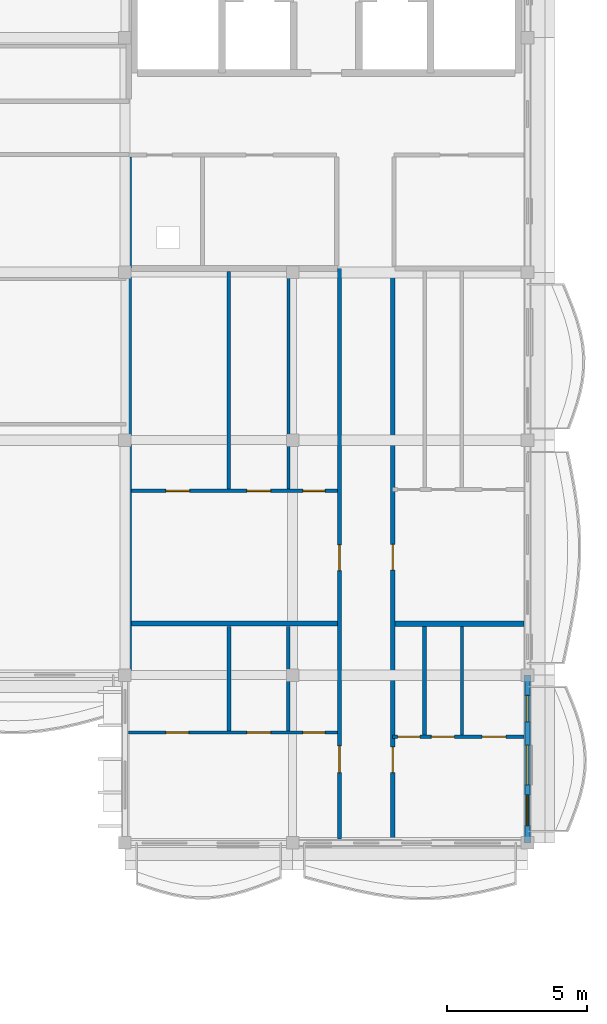
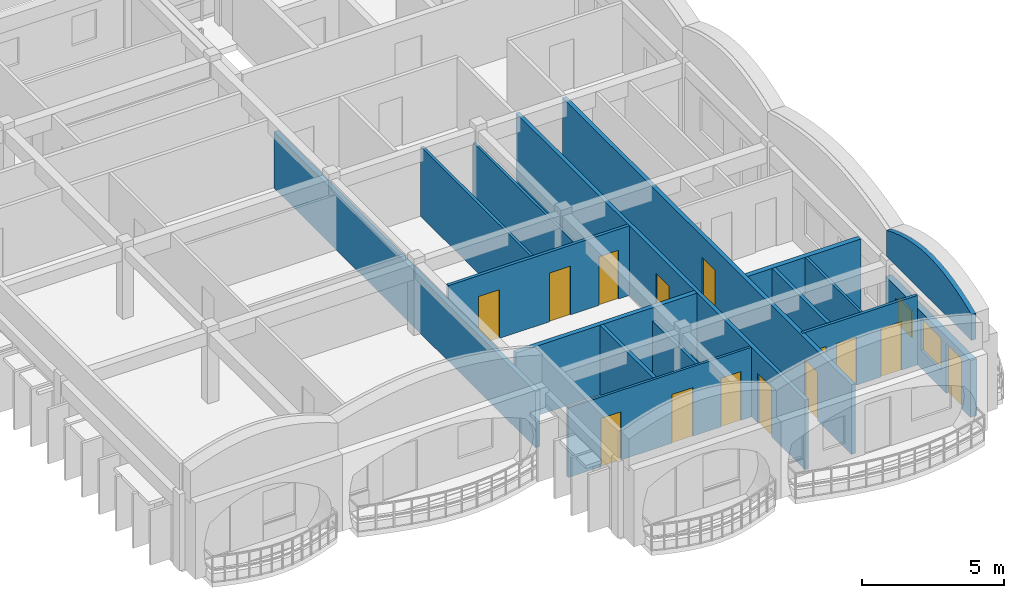
# One storey, part 27 of 59: 16 walls, 14 doors, 2 windows, 16 openings.
"""IFC4 building model written with IfcOpenShell, lengths in metres."""

from ifc_helpers import new_model, si_unit, direction, frame, frame_2d, origin, place, context, subcontext, project, spatial, polyline, rectangle, outline, extrude, material, layer, layer_set, type_object, element, fill, save


model = new_model("IFC4")

# Units and contexts
model_context = context("Model", 3, precision=1e-05, world=origin(), true_north=direction((0.0, 1.0)))
body_context = subcontext(model_context, "Body", "Model", "MODEL_VIEW")
ifc_project = project(units=[si_unit("LENGTHUNIT", "METRE"), si_unit("AREAUNIT", "SQUARE_METRE"), si_unit("VOLUMEUNIT", "CUBIC_METRE"), si_unit("PLANEANGLEUNIT", "RADIAN"), si_unit("MASSUNIT", "GRAM", prefix="KILO"), si_unit("THERMODYNAMICTEMPERATUREUNIT", "KELVIN")], contexts=[model_context])

# Site, building, storey
site_placement = place(None, origin())
site = spatial("IfcSite", under=ifc_project, at=site_placement, CompositionType="ELEMENT")
building_placement = place(site_placement, origin())
building = spatial("IfcBuilding", under=site, at=building_placement, Name="Thalorik Housing Commons", CompositionType="ELEMENT")
storey_placement = place(building_placement, frame((0.0, 0.0, 27.89990234375)))
storey = spatial("IfcBuildingStorey", under=building, at=storey_placement, Name="L08", CompositionType="ELEMENT", Elevation=27.89990234375)

# Wall, openings, doors
ifc_material_1 = material(Name="Masonry fire-rated corridor wall", Category="masonry")
ifc_layer_1 = layer(ifc_material_1, 0.14990234375, Name="Masonry fire-rated corridor wall", Category="masonry")
ifc_layer_set_1 = layer_set([ifc_layer_1], Name="Masonry fire-rated corridor wall")
wall_type_1 = type_object("IfcWallType", Name="ARC-WAL-CORR-150", PredefinedType="PARTITIONING", material=ifc_layer_set_1)
wall_1_placement = place(storey_placement, frame((160.080078125, 37.32958984375, 0.0), z_axis=(0.0, 0.0, 1.0), x_axis=(0.0, 1.0, 0.0)))
wall_1 = element("IfcWall", 1, at=wall_1_placement, inside=storey, type_object=wall_type_1, Name="L08 Block D E Corridor Wall 1", PredefinedType="PARTITIONING", context=body_context, shape_type="SweptSolid", body=[
    extrude(rectangle(XDim=20.410400390625, YDim=0.14990234375, at=frame_2d((10.205078125, 0.0))), origin(), (0.0, 0.0, 1.0), 3.0),
])
opening_1_placement = place(wall_1_placement, frame((2.3828125, 0.0, 0.0)))
opening_1 = element("IfcOpeningElement", 2, at=opening_1_placement, cuts=wall_1, Name="Opening ID-2160", PredefinedType="OPENING", context=body_context, shape_type="SweptSolid", body=[
    extrude(rectangle(XDim=0.9599609375, YDim=2.1201171875, at=frame_2d((0.47998046875, 1.06005859375))), frame((0.0, 0.0849609375, 0.0), z_axis=(0.0, -1.0, 0.0), x_axis=(1.0, 0.0, 0.0)), (0.0, 0.0, 1.0), 0.169921875),
])
opening_2_placement = place(wall_1_placement, frame((9.60546875, 0.0, 0.0)))
opening_2 = element("IfcOpeningElement", 3, at=opening_2_placement, cuts=wall_1, Name="Opening ID-2161", PredefinedType="OPENING", context=body_context, shape_type="SweptSolid", body=[
    extrude(rectangle(XDim=0.919921875, YDim=2.10009765625, at=frame_2d((0.4599609375, 1.050048828125))), frame((0.0, 0.0849609375, 0.0), z_axis=(0.0, -1.0, 0.0), x_axis=(1.0, 0.0, 0.0)), (0.0, 0.0, 1.0), 0.169921875),
])
ifc_material_2 = material(Name="Solid core hardwood timber", Category="wood")
door_type_1 = type_object("IfcDoorType", Name="ARC-DR-FD30-920", OperationType="NOTDEFINED", PredefinedType="DOOR", material=ifc_material_2)
door_1_placement = place(opening_2_placement, origin())
door_1 = element("IfcDoor", 4, at=door_1_placement, inside=storey, type_object=door_type_1, Name="L08 Flat DE-2A Entrance Door", OperationType="SINGLE_SWING_RIGHT", OverallHeight=2.10009765625, OverallWidth=0.919921875, PredefinedType="DOOR", context=body_context, shape_type="SweptSolid", body=[
    extrude(rectangle(XDim=0.919921875, YDim=2.10009765625, at=frame_2d((0.4599609375, 1.050048828125))), frame((0.0, 0.02490234375, 0.0), z_axis=(0.0, -1.0, 0.0), x_axis=(1.0, 0.0, 0.0)), (0.0, 0.0, 1.0), 0.050048828125),
])
fill(opening_2, door_1)
door_type_2 = type_object("IfcDoorType", Name="ARC-DR-FD30-960", OperationType="NOTDEFINED", PredefinedType="DOOR", material=ifc_material_2)
door_2_placement = place(opening_1_placement, origin())
door_2 = element("IfcDoor", 5, at=door_2_placement, inside=storey, type_object=door_type_2, Name="L08 Flat DE-1A Entrance Door", OperationType="SINGLE_SWING_LEFT", OverallHeight=2.1201171875, OverallWidth=0.9599609375, PredefinedType="DOOR", context=body_context, shape_type="SweptSolid", body=[
    extrude(rectangle(XDim=0.9599609375, YDim=2.1201171875, at=frame_2d((0.47998046875, 1.06005859375))), frame((0.0, 0.02490234375, 0.0), z_axis=(0.0, -1.0, 0.0), x_axis=(1.0, 0.0, 0.0)), (0.0, 0.0, 1.0), 0.050048828125),
])
fill(opening_1, door_2)

ifc_layer_2 = layer(ifc_material_1, 0.1650390625, Name="Masonry fire-rated corridor wall", Category="masonry")
ifc_layer_set_2 = layer_set([ifc_layer_2], Name="Masonry fire-rated corridor wall")
wall_type_2 = type_object("IfcWallType", Name="ARC-WAL-CORR-165", PredefinedType="PARTITIONING", material=ifc_layer_set_2)
wall_2_placement = place(storey_placement, frame((161.97998046875, 37.32958984375, 0.0), z_axis=(0.0, 0.0, 1.0), x_axis=(0.0, 1.0, 0.0)))
wall_2 = element("IfcWall", 6, at=wall_2_placement, inside=storey, type_object=wall_type_2, Name="L08 Block D E Corridor Wall 2", PredefinedType="PARTITIONING", context=body_context, shape_type="SweptSolid", body=[
    extrude(rectangle(XDim=20.410400390625, YDim=0.1650390625, at=frame_2d((10.205078125, 0.0))), origin(), (0.0, 0.0, 1.0), 3.0),
])
opening_3_placement = place(wall_2_placement, frame((2.3837890625, 0.0, 0.0)))
opening_3 = element("IfcOpeningElement", 7, at=opening_3_placement, cuts=wall_2, Name="Opening ID-2162", PredefinedType="OPENING", context=body_context, shape_type="SweptSolid", body=[
    extrude(rectangle(XDim=0.919921875, YDim=2.10009765625, at=frame_2d((0.4599609375, 1.050048828125))), frame((0.0, 0.092529296875, 0.0), z_axis=(0.0, -1.0, 0.0), x_axis=(1.0, 0.0, 0.0)), (0.0, 0.0, 1.0), 0.18505859375),
])
opening_4_placement = place(wall_2_placement, frame((9.62841796875, 0.0, 0.0)))
opening_4 = element("IfcOpeningElement", 8, at=opening_4_placement, cuts=wall_2, Name="Opening ID-2163", PredefinedType="OPENING", context=body_context, shape_type="SweptSolid", body=[
    extrude(rectangle(XDim=0.919921875, YDim=2.10009765625, at=frame_2d((0.4599609375, 1.050048828125))), frame((0.0, 0.092529296875, 0.0), z_axis=(0.0, -1.0, 0.0), x_axis=(1.0, 0.0, 0.0)), (0.0, 0.0, 1.0), 0.18505859375),
])
door_3_placement = place(opening_3_placement, origin())
door_3 = element("IfcDoor", 9, at=door_3_placement, inside=storey, type_object=door_type_1, Name="L08 Flat DE-1B Entrance Door", OperationType="SINGLE_SWING_LEFT", OverallHeight=2.10009765625, OverallWidth=0.919921875, PredefinedType="DOOR", context=body_context, shape_type="SweptSolid", body=[
    extrude(rectangle(XDim=0.919921875, YDim=2.10009765625, at=frame_2d((0.4599609375, 1.050048828125))), frame((0.0, 0.02490234375, 0.0), z_axis=(0.0, -1.0, 0.0), x_axis=(1.0, 0.0, 0.0)), (0.0, 0.0, 1.0), 0.050048828125),
])
fill(opening_3, door_3)
door_4_placement = place(opening_4_placement, origin())
door_4 = element("IfcDoor", 10, at=door_4_placement, inside=storey, type_object=door_type_1, Name="L08 Flat DE-2B Entrance Door", OperationType="SINGLE_SWING_RIGHT", OverallHeight=2.10009765625, OverallWidth=0.919921875, PredefinedType="DOOR", context=body_context, shape_type="SweptSolid", body=[
    extrude(rectangle(XDim=0.919921875, YDim=2.10009765625, at=frame_2d((0.4599609375, 1.050048828125))), frame((0.0, 0.02490234375, 0.0), z_axis=(0.0, -1.0, 0.0), x_axis=(1.0, 0.0, 0.0)), (0.0, 0.0, 1.0), 0.050048828125),
])
fill(opening_4, door_4)

# Wall, openings, door, windows
ifc_material_3 = material(Name="White precast concrete C40/50", Category="concrete")
ifc_layer_3 = layer(ifc_material_3, 0.2548828125, Name="White precast concrete C40/50", Category="concrete")
ifc_layer_set_3 = layer_set([ifc_layer_3], Name="White precast concrete C40/50")
wall_type_3 = type_object("IfcWallType", Name="ARC-WAL-EXT-255", PredefinedType="STANDARD", material=ifc_layer_set_3)
wall_3_placement = place(storey_placement, frame((166.800048828125, 37.199951171875, 0.0), z_axis=(0.0, 0.0, 1.0), x_axis=(0.0, 1.0, 0.0)))
wall_3 = element("IfcWall", 11, at=wall_3_placement, inside=storey, type_object=wall_type_3, Name="L08 Exterior Wall WAL-EXT-L08-D-1272", PredefinedType="STANDARD", context=body_context, shape_type="SweptSolid", body=[
    extrude(rectangle(XDim=6.0, YDim=0.2548828125, at=frame_2d((3.0, 0.0))), origin(), (0.0, 0.0, 1.0), 2.445068359375),
])
opening_5_placement = place(wall_3_placement, frame((0.6201171875, 0.0, 0.0)))
opening_5 = element("IfcOpeningElement", 12, at=opening_5_placement, cuts=wall_3, Name="Opening ED-0434", PredefinedType="OPENING", context=body_context, shape_type="SweptSolid", body=[
    extrude(rectangle(XDim=1.10009765625, YDim=2.14990234375, at=frame_2d((0.550048828125, 1.074951171875))), frame((0.0, 0.137451171875, 0.0), z_axis=(0.0, -1.0, 0.0), x_axis=(1.0, 0.0, 0.0)), (0.0, 0.0, 1.0), 0.27490234375),
])
opening_6_placement = place(wall_3_placement, frame((2.072265625, 0.0, 0.780029296875)))
opening_6 = element("IfcOpeningElement", 13, at=opening_6_placement, cuts=wall_3, Name="Opening W-50", PredefinedType="OPENING", context=body_context, shape_type="SweptSolid", body=[
    extrude(rectangle(XDim=1.419921875, YDim=1.3798828125, at=frame_2d((0.7099609375, 0.68994140625))), frame((0.0, 0.137451171875, 0.0), z_axis=(0.0, -1.0, 0.0), x_axis=(1.0, 0.0, 0.0)), (0.0, 0.0, 1.0), 0.27490234375),
])
opening_7_placement = place(wall_3_placement, frame((4.3271484375, 0.0, 0.780029296875)))
opening_7 = element("IfcOpeningElement", 14, at=opening_7_placement, cuts=wall_3, Name="Opening W-43", PredefinedType="OPENING", context=body_context, shape_type="SweptSolid", body=[
    extrude(rectangle(XDim=0.949951171875, YDim=1.14990234375, at=frame_2d((0.47509765625, 0.574951171875))), frame((0.0, 0.137451171875, 0.0), z_axis=(0.0, -1.0, 0.0), x_axis=(1.0, 0.0, 0.0)), (0.0, 0.0, 1.0), 0.27490234375),
])
ifc_material_4 = material(Name="Anodised aluminium and laminated safety glass", Category="aluminium")
door_type_3 = type_object("IfcDoorType", Name="ARC-DR-BAL-1100", OperationType="NOTDEFINED", PredefinedType="DOOR", material=ifc_material_4)
door_5_placement = place(opening_5_placement, frame((1.10009765625, 0.0, 0.0), z_axis=(0.0, 0.0, 1.0), x_axis=(-1.0, 0.0, 0.0)))
door_5 = element("IfcDoor", 15, at=door_5_placement, inside=storey, type_object=door_type_3, Name="L08 Block D Balcony Glazed Door", OperationType="SINGLE_SWING_LEFT", OverallHeight=2.14990234375, OverallWidth=1.10009765625, PredefinedType="DOOR", context=body_context, shape_type="SweptSolid", body=[
    extrude(rectangle(XDim=1.10009765625, YDim=2.14990234375, at=frame_2d((0.550048828125, 1.074951171875))), frame((0.0, 0.02490234375, 0.0), z_axis=(0.0, -1.0, 0.0), x_axis=(1.0, 0.0, 0.0)), (0.0, 0.0, 1.0), 0.050048828125),
])
fill(opening_5, door_5)
ifc_material_5 = material(Name="Anodised aluminium and solar-control low-E glass", Category="aluminium")
window_type_1 = type_object("IfcWindowType", Name="ARC-WIN-43", PartitioningType="SINGLE_PANEL", PredefinedType="WINDOW", material=ifc_material_5)
window_1_placement = place(opening_7_placement, origin())
window_1 = element("IfcWindow", 16, at=window_1_placement, inside=storey, type_object=window_type_1, Name="L08 Facade Window 2319", OverallHeight=1.14990234375, OverallWidth=0.949951171875, PartitioningType="SINGLE_PANEL", PredefinedType="WINDOW", context=body_context, shape_type="SweptSolid", body=[
    extrude(rectangle(XDim=0.949951171875, YDim=1.14990234375, at=frame_2d((0.47509765625, 0.574951171875))), frame((0.0, 0.030029296875, 0.0), z_axis=(0.0, -1.0, 0.0), x_axis=(1.0, 0.0, 0.0)), (0.0, 0.0, 1.0), 0.06005859375),
])
fill(opening_7, window_1)
window_type_2 = type_object("IfcWindowType", Name="ARC-WIN-50", PartitioningType="SINGLE_PANEL", PredefinedType="WINDOW", material=ifc_material_5)
window_2_placement = place(opening_6_placement, origin())
window_2 = element("IfcWindow", 17, at=window_2_placement, inside=storey, type_object=window_type_2, Name="L08 Facade Window 2318", OverallHeight=1.3798828125, OverallWidth=1.419921875, PartitioningType="SINGLE_PANEL", PredefinedType="WINDOW", context=body_context, shape_type="SweptSolid", body=[
    extrude(rectangle(XDim=1.419921875, YDim=1.3798828125, at=frame_2d((0.7099609375, 0.68994140625))), frame((0.0, 0.030029296875, 0.0), z_axis=(0.0, -1.0, 0.0), x_axis=(1.0, 0.0, 0.0)), (0.0, 0.0, 1.0), 0.06005859375),
])
fill(opening_6, window_2)

# Wall
ifc_layer_4 = layer(ifc_material_3, 0.179931640625, Name="White precast concrete C40/50", Category="concrete")
ifc_layer_set_4 = layer_set([ifc_layer_4], Name="White precast concrete C40/50")
wall_type_4 = type_object("IfcWallType", Name="ARC-WAL-PAR-180", PredefinedType="PARAPET", material=ifc_layer_set_4)
wall_4_placement = place(storey_placement, frame((166.800048828125, 37.199951171875, 3.300048828125), z_axis=(0.0, 0.0, 1.0), x_axis=(0.0, 1.0, 0.0)))
element("IfcWall", 18, at=wall_4_placement, inside=storey, type_object=wall_type_4, Name="L08 Block D Scalloped Arched Roof Parapet 52", PredefinedType="PARAPET", context=body_context, shape_type="SweptSolid", body=[
    extrude(outline(polyline([(0.0, 0.0), (6.0, 0.0), (6.0, 1.1201171875), (5.5, 1.321533203125), (5.0, 1.484375), (4.5, 1.617919921875), (4.0, 1.717529296875), (3.5, 1.779052734375), (3.0, 1.800048828125), (2.5, 1.779052734375), (2.0, 1.717529296875), (1.5, 1.617919921875), (1.0, 1.484375), (0.5, 1.321533203125), (0.0, 1.1201171875), (0.0, 0.0)])), frame((0.0, 0.08984375, 0.0), z_axis=(0.0, -1.0, 0.0), x_axis=(1.0, 0.0, 0.0)), (0.0, 0.0, 1.0), 0.179931640625),
])

# Wall, openings, doors
ifc_material_6 = material(Name="Gypsum light stud partition", Category="masonry")
ifc_layer_5 = layer(ifc_material_6, 0.10009765625, Name="Gypsum light stud partition", Category="masonry")
ifc_layer_set_5 = layer_set([ifc_layer_5], Name="Gypsum light stud partition")
wall_type_5 = type_object("IfcWallType", Name="ARC-WAL-PART-100", PredefinedType="PARTITIONING", material=ifc_layer_set_5)
wall_5_placement = place(storey_placement, frame((152.529541015625, 41.14990234375, 0.0), z_axis=(0.0, 0.0, 1.0), x_axis=(1.0, 0.0, 0.0)))
wall_5 = element("IfcWall", 19, at=wall_5_placement, inside=storey, type_object=wall_type_5, Name="L08 Unit 1 Spine Partition", PredefinedType="PARTITIONING", context=body_context, shape_type="SweptSolid", body=[
    extrude(rectangle(XDim=7.473388671875, YDim=0.10009765625, at=frame_2d((3.73681640625, 0.0))), origin(), (0.0, 0.0, 1.0), 3.0),
])
opening_8_placement = place(wall_5_placement, frame((1.334228515625, 0.0, 0.0)))
opening_8 = element("IfcOpeningElement", 20, at=opening_8_placement, cuts=wall_5, Name="Opening ID-2148", PredefinedType="OPENING", context=body_context, shape_type="SweptSolid", body=[
    extrude(rectangle(XDim=0.820068359375, YDim=2.080078125, at=frame_2d((0.41015625, 1.0400390625))), frame((0.0, 0.06005859375, 0.0), z_axis=(0.0, -1.0, 0.0), x_axis=(1.0, 0.0, 0.0)), (0.0, 0.0, 1.0), 0.1201171875),
])
opening_9_placement = place(wall_5_placement, frame((4.22998046875, 0.0, 0.0)))
opening_9 = element("IfcOpeningElement", 21, at=opening_9_placement, cuts=wall_5, Name="Opening ID-2149", PredefinedType="OPENING", context=body_context, shape_type="SweptSolid", body=[
    extrude(rectangle(XDim=0.85009765625, YDim=2.10009765625, at=frame_2d((0.425048828125, 1.050048828125))), frame((0.0, 0.06005859375, 0.0), z_axis=(0.0, -1.0, 0.0), x_axis=(1.0, 0.0, 0.0)), (0.0, 0.0, 1.0), 0.1201171875),
])
opening_10_placement = place(wall_5_placement, frame((6.236083984375, 0.0, 0.0)))
opening_10 = element("IfcOpeningElement", 22, at=opening_10_placement, cuts=wall_5, Name="Opening ID-2150", PredefinedType="OPENING", context=body_context, shape_type="SweptSolid", body=[
    extrude(rectangle(XDim=0.800048828125, YDim=2.10009765625, at=frame_2d((0.39990234375, 1.050048828125))), frame((0.0, 0.06005859375, 0.0), z_axis=(0.0, -1.0, 0.0), x_axis=(1.0, 0.0, 0.0)), (0.0, 0.0, 1.0), 0.1201171875),
])
ifc_material_7 = material(Name="Moisture-resistant timber", Category="wood")
door_type_4 = type_object("IfcDoorType", Name="ARC-DR-INT-800", OperationType="NOTDEFINED", PredefinedType="DOOR", material=ifc_material_7)
door_6_placement = place(opening_10_placement, origin())
door_6 = element("IfcDoor", 23, at=door_6_placement, inside=storey, type_object=door_type_4, Name="L08 Accessible Bathroom Door", OperationType="SINGLE_SWING_LEFT", OverallHeight=2.10009765625, OverallWidth=0.800048828125, PredefinedType="DOOR", context=body_context, shape_type="SweptSolid", body=[
    extrude(rectangle(XDim=0.800048828125, YDim=2.10009765625, at=frame_2d((0.39990234375, 1.050048828125))), frame((0.0, 0.02490234375, 0.0), z_axis=(0.0, -1.0, 0.0), x_axis=(1.0, 0.0, 0.0)), (0.0, 0.0, 1.0), 0.050048828125),
])
fill(opening_10, door_6)
ifc_material_8 = material(Name="Engineered oak timber", Category="wood")
door_type_5 = type_object("IfcDoorType", Name="ARC-DR-INT-820", OperationType="NOTDEFINED", PredefinedType="DOOR", material=ifc_material_8)
door_7_placement = place(opening_8_placement, origin())
door_7 = element("IfcDoor", 24, at=door_7_placement, inside=storey, type_object=door_type_5, Name="L08 Double Bedroom Door", OperationType="SINGLE_SWING_LEFT", OverallHeight=2.080078125, OverallWidth=0.820068359375, PredefinedType="DOOR", context=body_context, shape_type="SweptSolid", body=[
    extrude(rectangle(XDim=0.820068359375, YDim=2.080078125, at=frame_2d((0.41015625, 1.0400390625))), frame((0.0, 0.02490234375, 0.0), z_axis=(0.0, -1.0, 0.0), x_axis=(1.0, 0.0, 0.0)), (0.0, 0.0, 1.0), 0.050048828125),
])
fill(opening_8, door_7)
door_type_6 = type_object("IfcDoorType", Name="ARC-DR-INT-850", OperationType="NOTDEFINED", PredefinedType="DOOR", material=ifc_material_8)
door_8_placement = place(opening_9_placement, origin())
door_8 = element("IfcDoor", 25, at=door_8_placement, inside=storey, type_object=door_type_6, Name="L08 Galley Kitchen Door", OperationType="SINGLE_SWING_RIGHT", OverallHeight=2.10009765625, OverallWidth=0.85009765625, PredefinedType="DOOR", context=body_context, shape_type="SweptSolid", body=[
    extrude(rectangle(XDim=0.85009765625, YDim=2.10009765625, at=frame_2d((0.425048828125, 1.050048828125))), frame((0.0, 0.02490234375, 0.0), z_axis=(0.0, -1.0, 0.0), x_axis=(1.0, 0.0, 0.0)), (0.0, 0.0, 1.0), 0.050048828125),
])
fill(opening_9, door_8)

# Walls
wall_6_placement = place(storey_placement, frame((164.455078125, 41.053955078125, 0.0), z_axis=(0.0, 0.0, 1.0), x_axis=(0.0, 1.0, 0.0)))
element("IfcWall", 26, at=wall_6_placement, inside=storey, type_object=wall_type_5, Name="L08 Unit 1B Bedroom Partition", PredefinedType="PARTITIONING", context=body_context, shape_type="SweptSolid", body=[
    extrude(rectangle(XDim=3.884033203125, YDim=0.10009765625, at=frame_2d((1.94189453125, 0.0))), origin(), (0.0, 0.0, 1.0), 3.0),
])
wall_7_placement = place(storey_placement, frame((158.251220703125, 49.8544921875, 0.0), z_axis=(0.0, 0.0, 1.0), x_axis=(0.0, 1.0, 0.0)))
element("IfcWall", 27, at=wall_7_placement, inside=storey, type_object=wall_type_5, Name="L08 Unit 2 Wet Wall", PredefinedType="PARTITIONING", context=body_context, shape_type="SweptSolid", body=[
    extrude(rectangle(XDim=7.7734375, YDim=0.10009765625, at=frame_2d((3.88671875, 0.0))), origin(), (0.0, 0.0, 1.0), 2.425048828125),
])

# Wall, openings, doors
ifc_material_9 = material(Name="Gypsum moisture-resistant partition", Category="masonry")
ifc_layer_6 = layer(ifc_material_9, 0.114990234375, Name="Gypsum moisture-resistant partition", Category="masonry")
ifc_layer_set_6 = layer_set([ifc_layer_6], Name="Gypsum moisture-resistant partition")
wall_type_6 = type_object("IfcWallType", Name="ARC-WAL-PART-115", PredefinedType="PARTITIONING", material=ifc_layer_set_6)
wall_8_placement = place(storey_placement, frame((161.97998046875, 40.994384765625, 0.0), z_axis=(0.0, 0.0, 1.0), x_axis=(1.0, 0.0, 0.0)))
wall_8 = element("IfcWall", 28, at=wall_8_placement, inside=storey, type_object=wall_type_6, Name="L08 Unit 1B Spine Partition", PredefinedType="PARTITIONING", context=body_context, shape_type="SweptSolid", body=[
    extrude(rectangle(XDim=4.6904296875, YDim=0.114990234375, at=frame_2d((2.34521484375, 0.0))), origin(), (0.0, 0.0, 1.0), 3.0),
])
opening_11_placement = place(wall_8_placement, frame((0.171142578125, 0.0, 0.0)))
opening_11 = element("IfcOpeningElement", 29, at=opening_11_placement, cuts=wall_8, Name="Opening ID-2151", PredefinedType="OPENING", context=body_context, shape_type="SweptSolid", body=[
    extrude(rectangle(XDim=0.800048828125, YDim=2.10009765625, at=frame_2d((0.39990234375, 1.050048828125))), frame((0.0, 0.0673828125, 0.0), z_axis=(0.0, -1.0, 0.0), x_axis=(1.0, 0.0, 0.0)), (0.0, 0.0, 1.0), 0.135009765625),
])
opening_12_placement = place(wall_8_placement, frame((1.3837890625, 0.0, 0.0)))
opening_12 = element("IfcOpeningElement", 30, at=opening_12_placement, cuts=wall_8, Name="Opening ID-2152", PredefinedType="OPENING", context=body_context, shape_type="SweptSolid", body=[
    extrude(rectangle(XDim=0.820068359375, YDim=2.080078125, at=frame_2d((0.41015625, 1.0400390625))), frame((0.0, 0.0673828125, 0.0), z_axis=(0.0, -1.0, 0.0), x_axis=(1.0, 0.0, 0.0)), (0.0, 0.0, 1.0), 0.135009765625),
])
opening_13_placement = place(wall_8_placement, frame((3.192626953125, 0.0, 0.0)))
opening_13 = element("IfcOpeningElement", 31, at=opening_13_placement, cuts=wall_8, Name="Opening ID-2153", PredefinedType="OPENING", context=body_context, shape_type="SweptSolid", body=[
    extrude(rectangle(XDim=0.85009765625, YDim=2.10009765625, at=frame_2d((0.425048828125, 1.050048828125))), frame((0.0, 0.0673828125, 0.0), z_axis=(0.0, -1.0, 0.0), x_axis=(1.0, 0.0, 0.0)), (0.0, 0.0, 1.0), 0.135009765625),
])
door_9_placement = place(opening_11_placement, origin())
door_9 = element("IfcDoor", 32, at=door_9_placement, inside=storey, type_object=door_type_4, Name="L08 Flat Bathroom Door", OperationType="SINGLE_SWING_RIGHT", OverallHeight=2.10009765625, OverallWidth=0.800048828125, PredefinedType="DOOR", context=body_context, shape_type="SweptSolid", body=[
    extrude(rectangle(XDim=0.800048828125, YDim=2.10009765625, at=frame_2d((0.39990234375, 1.050048828125))), frame((0.0, 0.02490234375, 0.0), z_axis=(0.0, -1.0, 0.0), x_axis=(1.0, 0.0, 0.0)), (0.0, 0.0, 1.0), 0.050048828125),
])
fill(opening_11, door_9)
door_10_placement = place(opening_12_placement, origin())
door_10 = element("IfcDoor", 33, at=door_10_placement, inside=storey, type_object=door_type_5, Name="L08 Galley Kitchen Door", OperationType="SINGLE_SWING_LEFT", OverallHeight=2.080078125, OverallWidth=0.820068359375, PredefinedType="DOOR", context=body_context, shape_type="SweptSolid", body=[
    extrude(rectangle(XDim=0.820068359375, YDim=2.080078125, at=frame_2d((0.41015625, 1.0400390625))), frame((0.0, 0.02490234375, 0.0), z_axis=(0.0, -1.0, 0.0), x_axis=(1.0, 0.0, 0.0)), (0.0, 0.0, 1.0), 0.050048828125),
])
fill(opening_12, door_10)
door_11_placement = place(opening_13_placement, origin())
door_11 = element("IfcDoor", 34, at=door_11_placement, inside=storey, type_object=door_type_6, Name="L08 Double Bedroom Door", OperationType="SINGLE_SWING_RIGHT", OverallHeight=2.10009765625, OverallWidth=0.85009765625, PredefinedType="DOOR", context=body_context, shape_type="SweptSolid", body=[
    extrude(rectangle(XDim=0.85009765625, YDim=2.10009765625, at=frame_2d((0.425048828125, 1.050048828125))), frame((0.0, 0.02490234375, 0.0), z_axis=(0.0, -1.0, 0.0), x_axis=(1.0, 0.0, 0.0)), (0.0, 0.0, 1.0), 0.050048828125),
])
fill(opening_13, door_11)

# Walls
wall_9_placement = place(storey_placement, frame((156.11767578125, 49.8544921875, 0.0), z_axis=(0.0, 0.0, 1.0), x_axis=(0.0, 1.0, 0.0)))
element("IfcWall", 35, at=wall_9_placement, inside=storey, type_object=wall_type_6, Name="L08 Unit 2 Bedroom Partition", PredefinedType="PARTITIONING", context=body_context, shape_type="SweptSolid", body=[
    extrude(rectangle(XDim=7.7734375, YDim=0.114990234375, at=frame_2d((3.88671875, 0.0))), origin(), (0.0, 0.0, 1.0), 3.0),
])
ifc_material_10 = material(Name="Gypsum acoustic stud partition", Category="masonry")
ifc_layer_7 = layer(ifc_material_10, 0.125, Name="Gypsum acoustic stud partition", Category="masonry")
ifc_layer_set_7 = layer_set([ifc_layer_7], Name="Gypsum acoustic stud partition")
wall_type_7 = type_object("IfcWallType", Name="ARC-WAL-PART-125", PredefinedType="PARTITIONING", material=ifc_layer_set_7)
wall_10_placement = place(storey_placement, frame((158.251220703125, 41.201904296875, 0.0), z_axis=(0.0, 0.0, 1.0), x_axis=(0.0, 1.0, 0.0)))
element("IfcWall", 36, at=wall_10_placement, inside=storey, type_object=wall_type_7, Name="L08 Unit 1 Wet Wall", PredefinedType="PARTITIONING", context=body_context, shape_type="SweptSolid", body=[
    extrude(rectangle(XDim=3.74365234375, YDim=0.125, at=frame_2d((1.871826171875, 0.0))), origin(), (0.0, 0.0, 1.0), 2.425048828125),
])

# Wall, openings, doors
wall_11_placement = place(storey_placement, frame((152.634521484375, 49.7900390625, 0.0), z_axis=(0.0, 0.0, 1.0), x_axis=(1.0, 0.0, 0.0)))
wall_11 = element("IfcWall", 37, at=wall_11_placement, inside=storey, type_object=wall_type_7, Name="L08 Unit 2 Spine Partition", PredefinedType="PARTITIONING", context=body_context, shape_type="SweptSolid", body=[
    extrude(rectangle(XDim=7.368408203125, YDim=0.125, at=frame_2d((3.68408203125, 0.0))), origin(), (0.0, 0.0, 1.0), 3.0),
])
opening_14_placement = place(wall_11_placement, frame((1.229248046875, 0.0, 0.0)))
opening_14 = element("IfcOpeningElement", 38, at=opening_14_placement, cuts=wall_11, Name="Opening ID-2154", PredefinedType="OPENING", context=body_context, shape_type="SweptSolid", body=[
    extrude(rectangle(XDim=0.85009765625, YDim=2.10009765625, at=frame_2d((0.425048828125, 1.050048828125))), frame((0.0, 0.072509765625, 0.0), z_axis=(0.0, -1.0, 0.0), x_axis=(1.0, 0.0, 0.0)), (0.0, 0.0, 1.0), 0.14501953125),
])
opening_15_placement = place(wall_11_placement, frame((4.125, 0.0, 0.0)))
opening_15 = element("IfcOpeningElement", 39, at=opening_15_placement, cuts=wall_11, Name="Opening ID-2155", PredefinedType="OPENING", context=body_context, shape_type="SweptSolid", body=[
    extrude(rectangle(XDim=0.85009765625, YDim=2.10009765625, at=frame_2d((0.425048828125, 1.050048828125))), frame((0.0, 0.072509765625, 0.0), z_axis=(0.0, -1.0, 0.0), x_axis=(1.0, 0.0, 0.0)), (0.0, 0.0, 1.0), 0.14501953125),
])
opening_16_placement = place(wall_11_placement, frame((6.131103515625, 0.0, 0.0)))
opening_16 = element("IfcOpeningElement", 40, at=opening_16_placement, cuts=wall_11, Name="Opening ID-2156", PredefinedType="OPENING", context=body_context, shape_type="SweptSolid", body=[
    extrude(rectangle(XDim=0.800048828125, YDim=2.10009765625, at=frame_2d((0.39990234375, 1.050048828125))), frame((0.0, 0.072509765625, 0.0), z_axis=(0.0, -1.0, 0.0), x_axis=(1.0, 0.0, 0.0)), (0.0, 0.0, 1.0), 0.14501953125),
])
door_12_placement = place(opening_16_placement, origin())
door_12 = element("IfcDoor", 41, at=door_12_placement, inside=storey, type_object=door_type_4, Name="L08 Flat Bathroom Door", OperationType="SINGLE_SWING_LEFT", OverallHeight=2.10009765625, OverallWidth=0.800048828125, PredefinedType="DOOR", context=body_context, shape_type="SweptSolid", body=[
    extrude(rectangle(XDim=0.800048828125, YDim=2.10009765625, at=frame_2d((0.39990234375, 1.050048828125))), frame((0.0, 0.02490234375, 0.0), z_axis=(0.0, -1.0, 0.0), x_axis=(1.0, 0.0, 0.0)), (0.0, 0.0, 1.0), 0.050048828125),
])
fill(opening_16, door_12)
door_13_placement = place(opening_14_placement, origin())
door_13 = element("IfcDoor", 42, at=door_13_placement, inside=storey, type_object=door_type_6, Name="L08 Master Bedroom Door", OperationType="SINGLE_SWING_LEFT", OverallHeight=2.10009765625, OverallWidth=0.85009765625, PredefinedType="DOOR", context=body_context, shape_type="SweptSolid", body=[
    extrude(rectangle(XDim=0.85009765625, YDim=2.10009765625, at=frame_2d((0.425048828125, 1.050048828125))), frame((0.0, 0.02490234375, 0.0), z_axis=(0.0, -1.0, 0.0), x_axis=(1.0, 0.0, 0.0)), (0.0, 0.0, 1.0), 0.050048828125),
])
fill(opening_14, door_13)
door_14_placement = place(opening_15_placement, origin())
door_14 = element("IfcDoor", 43, at=door_14_placement, inside=storey, type_object=door_type_6, Name="L08 Eat-In Kitchen Door", OperationType="SINGLE_SWING_RIGHT", OverallHeight=2.10009765625, OverallWidth=0.85009765625, PredefinedType="DOOR", context=body_context, shape_type="SweptSolid", body=[
    extrude(rectangle(XDim=0.85009765625, YDim=2.10009765625, at=frame_2d((0.425048828125, 1.050048828125))), frame((0.0, 0.02490234375, 0.0), z_axis=(0.0, -1.0, 0.0), x_axis=(1.0, 0.0, 0.0)), (0.0, 0.0, 1.0), 0.050048828125),
])
fill(opening_15, door_14)

# Walls
ifc_material_11 = material(Name="Ceramic masonry partition wall", Category="masonry")
ifc_layer_8 = layer(ifc_material_11, 0.139892578125, Name="Ceramic masonry partition wall", Category="masonry")
ifc_layer_set_8 = layer_set([ifc_layer_8], Name="Ceramic masonry partition wall")
wall_type_8 = type_object("IfcWallType", Name="ARC-WAL-PART-140", PredefinedType="PARTITIONING", material=ifc_layer_set_8)
wall_12_placement = place(storey_placement, frame((156.11767578125, 41.201904296875, 0.0), z_axis=(0.0, 0.0, 1.0), x_axis=(0.0, 1.0, 0.0)))
element("IfcWall", 44, at=wall_12_placement, inside=storey, type_object=wall_type_8, Name="L08 Unit 1 Bedroom Partition", PredefinedType="PARTITIONING", context=body_context, shape_type="SweptSolid", body=[
    extrude(rectangle(XDim=3.74365234375, YDim=0.139892578125, at=frame_2d((1.871826171875, 0.0))), origin(), (0.0, 0.0, 1.0), 3.0),
])
wall_13_placement = place(storey_placement, frame((163.122314453125, 41.053955078125, 0.0), z_axis=(0.0, 0.0, 1.0), x_axis=(0.0, 1.0, 0.0)))
element("IfcWall", 45, at=wall_13_placement, inside=storey, type_object=wall_type_8, Name="L08 Unit 1B Wet Wall", PredefinedType="PARTITIONING", context=body_context, shape_type="SweptSolid", body=[
    extrude(rectangle(XDim=3.884033203125, YDim=0.139892578125, at=frame_2d((1.94189453125, 0.0))), origin(), (0.0, 0.0, 1.0), 3.0),
])
ifc_material_12 = material(Name="Masonry acoustic blockwork wall", Category="masonry")
ifc_layer_9 = layer(ifc_material_12, 0.18505859375, Name="Masonry acoustic blockwork wall", Category="masonry")
ifc_layer_set_9 = layer_set([ifc_layer_9], Name="Masonry acoustic blockwork wall")
wall_type_9 = type_object("IfcWallType", Name="ARC-WAL-PARTY-185", PredefinedType="PARTITIONING", material=ifc_layer_set_9)
wall_14_placement = place(storey_placement, frame((152.634521484375, 45.0400390625, 0.0), z_axis=(0.0, 0.0, 1.0), x_axis=(1.0, 0.0, 0.0)))
element("IfcWall", 46, at=wall_14_placement, inside=storey, type_object=wall_type_9, Name="L08 Inter-Tenancy Wall 1A", PredefinedType="PARTITIONING", context=body_context, shape_type="SweptSolid", body=[
    extrude(rectangle(XDim=7.368408203125, YDim=0.18505859375, at=frame_2d((3.68408203125, 0.0))), origin(), (0.0, 0.0, 1.0), 3.0),
])
wall_15_placement = place(storey_placement, frame((152.5400390625, 43.260009765625, 0.0), z_axis=(0.0, 0.0, 1.0), x_axis=(0.0, 1.0, 0.0)))
element("IfcWall", 47, at=wall_15_placement, inside=storey, type_object=wall_type_9, Name="L08 Core End Wall A", PredefinedType="PARTITIONING", context=body_context, shape_type="SweptSolid", body=[
    extrude(rectangle(XDim=18.464111328125, YDim=0.18505859375, at=frame_2d((9.23193359375, 0.0))), origin(), (0.0, 0.0, 1.0), 2.425048828125),
])
ifc_material_13 = material(Name="Precast concrete C40/50 acoustic wall", Category="concrete")
ifc_layer_10 = layer(ifc_material_13, 0.199951171875, Name="Precast concrete C40/50 acoustic wall", Category="concrete")
ifc_layer_set_10 = layer_set([ifc_layer_10], Name="Precast concrete C40/50 acoustic wall")
wall_type_10 = type_object("IfcWallType", Name="ARC-WAL-PARTY-200", PredefinedType="PARTITIONING", material=ifc_layer_set_10)
wall_16_placement = place(storey_placement, frame((162.064453125, 45.0400390625, 0.0), z_axis=(0.0, 0.0, 1.0), x_axis=(1.0, 0.0, 0.0)))
element("IfcWall", 48, at=wall_16_placement, inside=storey, type_object=wall_type_10, Name="L08 Inter-Tenancy Wall 1B", PredefinedType="PARTITIONING", context=body_context, shape_type="SweptSolid", body=[
    extrude(rectangle(XDim=4.60595703125, YDim=0.199951171875, at=frame_2d((2.302978515625, 0.0))), origin(), (0.0, 0.0, 1.0), 3.0),
])

save(model, "model.ifc")
